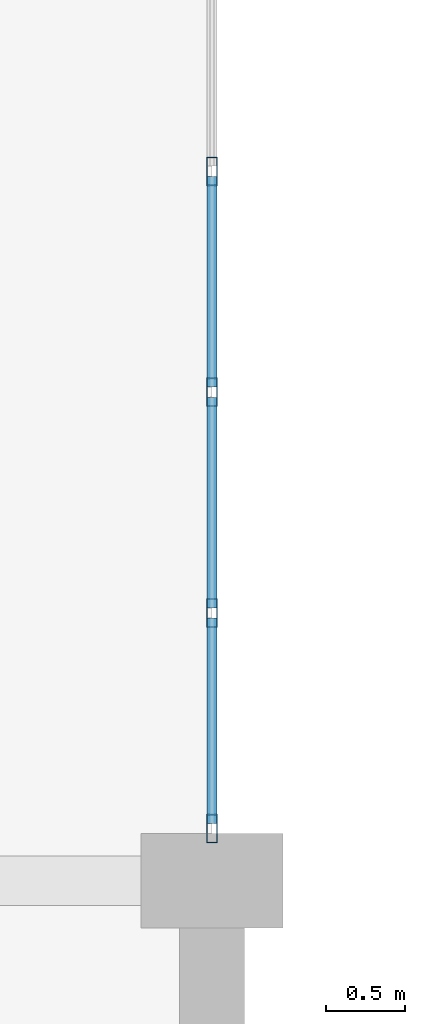
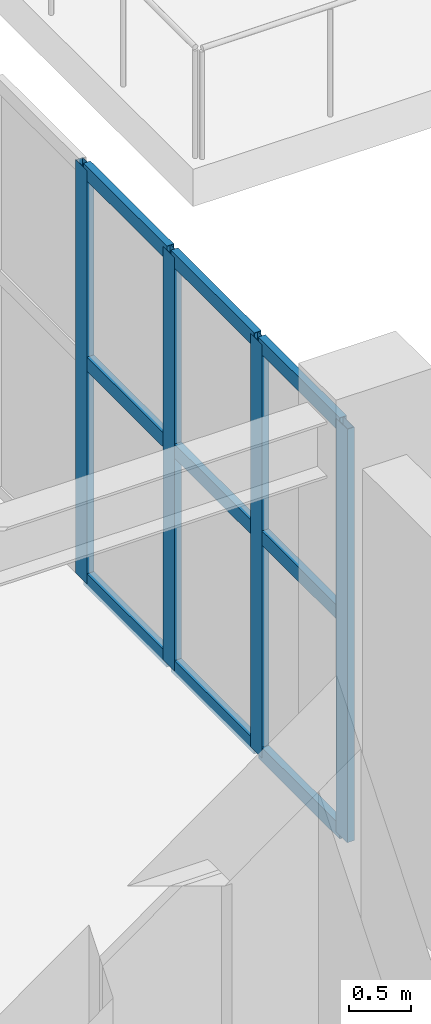
# One storey, part 17 of 62: 13 members, 1 element without a shape of its own.
"""IFC4 building model written with IfcOpenShell, lengths in metres."""

from ifc_helpers import new_model, si_unit, direction, frame, origin, origin_2d, place, context, subcontext, project, spatial, hollow_rectangle, extrude, material, layer, layer_set, material_profile, profile_set, type_object, element, aggregate, save


model = new_model("IFC4")

# Units and contexts
model_context = context("Model", 3, precision=1e-05, world=origin(), true_north=direction((0.0, 1.0)))
body_context = subcontext(model_context, "Body", "Model", "MODEL_VIEW")
ifc_project = project(units=[si_unit("LENGTHUNIT", "METRE"), si_unit("AREAUNIT", "SQUARE_METRE"), si_unit("VOLUMEUNIT", "CUBIC_METRE"), si_unit("PLANEANGLEUNIT", "RADIAN"), si_unit("MASSUNIT", "GRAM", prefix="KILO")], contexts=[model_context])

# Site, building, storey
site_placement = place(None, origin())
site = spatial("IfcSite", under=ifc_project, at=site_placement, CompositionType="ELEMENT")
building_placement = place(site_placement, origin())
building = spatial("IfcBuilding", under=site, at=building_placement, Name="Vaelkrest Opera House", CompositionType="ELEMENT")
storey_placement = place(building_placement, frame((0.0, 0.0, 19.800048828125)))
storey = spatial("IfcBuildingStorey", under=building, at=storey_placement, Name="L04", CompositionType="ELEMENT", Elevation=19.800048828125)

# Curtain wall, members
ifc_material = material(Name="Dark bronze anodized aluminium", Category="aluminium")
ifc_layer = layer(ifc_material, 0.179931640625)
ifc_layer_set = layer_set([ifc_layer], Name="Dark bronze anodized aluminium")
curtain_wall_type = type_object("IfcCurtainWallType", Name="CW01", PredefinedType="NOTDEFINED", material=ifc_layer_set)
curtain_wall_placement = place(storey_placement, origin())
curtain_wall = element("IfcCurtainWall", 1, at=curtain_wall_placement, inside=storey, type_object=curtain_wall_type, Name="Curtain wall CW-L04-066", PredefinedType="NOTDEFINED")
ifc_material_profile_1 = material_profile(ifc_material, hollow_rectangle(XDim=0.06494140625, YDim=0.179931640625, WallThickness=0.00390625, at=origin_2d()), Name="CWM65X180")
ifc_profile_set_1 = profile_set([ifc_material_profile_1], Name="Dark bronze anodized aluminium")
member_type_1 = type_object("IfcMemberType", Name="CWM01", PredefinedType="MULLION", material=ifc_profile_set_1)
member_1_placement = place(storey_placement, frame((30.0, -24.300048828125, 0.0), z_axis=(0.0, 0.0, 1.0), x_axis=(1.0, 0.0, 0.0)))
member_1 = element("IfcMember", 2, at=member_1_placement, type_object=member_type_1, Name="CW01 mullion 4", PredefinedType="MULLION", context=body_context, shape_type="SweptSolid", body=[
    extrude(hollow_rectangle(XDim=0.06494140625, YDim=0.179931640625, WallThickness=0.00390625, at=origin_2d()), origin(), (0.0, 0.0, 1.0), 4.04296875),
])
member_2_placement = place(storey_placement, frame((30.0, -25.70068359375, 0.0), z_axis=(0.0, 0.0, 1.0), x_axis=(1.0, 0.0, 0.0)))
member_2 = element("IfcMember", 3, at=member_2_placement, type_object=member_type_1, Name="CW01 mullion 5", PredefinedType="MULLION", context=body_context, shape_type="SweptSolid", body=[
    extrude(hollow_rectangle(XDim=0.06494140625, YDim=0.179931640625, WallThickness=0.00390625, at=origin_2d()), origin(), (0.0, 0.0, 1.0), 4.04296875),
])
member_3_placement = place(storey_placement, frame((30.0, -27.101318359375, 0.0), z_axis=(0.0, 0.0, 1.0), x_axis=(1.0, 0.0, 0.0)))
member_3 = element("IfcMember", 4, at=member_3_placement, type_object=member_type_1, Name="CW01 mullion 6", PredefinedType="MULLION", context=body_context, shape_type="SweptSolid", body=[
    extrude(hollow_rectangle(XDim=0.06494140625, YDim=0.179931640625, WallThickness=0.00390625, at=origin_2d()), origin(), (0.0, 0.0, 1.0), 4.04296875),
])
member_4_placement = place(storey_placement, frame((30.0, -28.469482421875, 0.0), z_axis=(0.0, 0.0, 1.0), x_axis=(1.0, 0.0, 0.0)))
member_4 = element("IfcMember", 5, at=member_4_placement, type_object=member_type_1, Name="CW01 mullion 7", PredefinedType="MULLION", context=body_context, shape_type="SweptSolid", body=[
    extrude(hollow_rectangle(XDim=0.06494140625, YDim=0.179931640625, WallThickness=0.00390625, at=origin_2d()), origin(), (0.0, 0.0, 1.0), 4.04296875),
])
ifc_material_profile_2 = material_profile(ifc_material, hollow_rectangle(XDim=0.06494140625, YDim=0.139892578125, WallThickness=0.00390625, at=origin_2d()), Name="CWT65X140")
ifc_profile_set_2 = profile_set([ifc_material_profile_2], Name="Dark bronze anodized aluminium")
member_type_2 = type_object("IfcMemberType", Name="CWT01", PredefinedType="USERDEFINED", material=ifc_profile_set_2)
member_5_placement = place(storey_placement, frame((30.0, -24.33251953125, 0.032470703125), z_axis=(0.0, -1.0, 0.0), x_axis=(1.0, 0.0, 0.0)))
member_5 = element("IfcMember", 6, at=member_5_placement, type_object=member_type_2, Name="CW01 transom 4.1", ObjectType="TRANSOM", PredefinedType="USERDEFINED", context=body_context, shape_type="SweptSolid", body=[
    extrude(hollow_rectangle(XDim=0.06494140625, YDim=0.139892578125, WallThickness=0.00390625, at=origin_2d()), origin(), (0.0, 0.0, 1.0), 1.335693359375),
])
member_6_placement = place(storey_placement, frame((30.0, -24.33251953125, 2.14990234375), z_axis=(0.0, -1.0, 0.0), x_axis=(1.0, 0.0, 0.0)))
member_6 = element("IfcMember", 7, at=member_6_placement, type_object=member_type_2, Name="CW01 transom 4.2", ObjectType="TRANSOM", PredefinedType="USERDEFINED", context=body_context, shape_type="SweptSolid", body=[
    extrude(hollow_rectangle(XDim=0.06494140625, YDim=0.139892578125, WallThickness=0.00390625, at=origin_2d()), origin(), (0.0, 0.0, 1.0), 1.335693359375),
])
member_7_placement = place(storey_placement, frame((30.0, -24.33251953125, 4.010498046875), z_axis=(0.0, -1.0, 0.0), x_axis=(1.0, 0.0, 0.0)))
member_7 = element("IfcMember", 8, at=member_7_placement, type_object=member_type_2, Name="CW01 transom 4.3", ObjectType="TRANSOM", PredefinedType="USERDEFINED", context=body_context, shape_type="SweptSolid", body=[
    extrude(hollow_rectangle(XDim=0.06494140625, YDim=0.139892578125, WallThickness=0.00390625, at=origin_2d()), origin(), (0.0, 0.0, 1.0), 1.335693359375),
])
member_8_placement = place(storey_placement, frame((30.0, -25.733154296875, 0.032470703125), z_axis=(0.0, -1.0, 0.0), x_axis=(1.0, 0.0, 0.0)))
member_8 = element("IfcMember", 9, at=member_8_placement, type_object=member_type_2, Name="CW01 transom 5.1", ObjectType="TRANSOM", PredefinedType="USERDEFINED", context=body_context, shape_type="SweptSolid", body=[
    extrude(hollow_rectangle(XDim=0.06494140625, YDim=0.139892578125, WallThickness=0.00390625, at=origin_2d()), origin(), (0.0, 0.0, 1.0), 1.335693359375),
])
member_9_placement = place(storey_placement, frame((30.0, -25.733154296875, 2.14990234375), z_axis=(0.0, -1.0, 0.0), x_axis=(1.0, 0.0, 0.0)))
member_9 = element("IfcMember", 10, at=member_9_placement, type_object=member_type_2, Name="CW01 transom 5.2", ObjectType="TRANSOM", PredefinedType="USERDEFINED", context=body_context, shape_type="SweptSolid", body=[
    extrude(hollow_rectangle(XDim=0.06494140625, YDim=0.139892578125, WallThickness=0.00390625, at=origin_2d()), origin(), (0.0, 0.0, 1.0), 1.335693359375),
])
member_10_placement = place(storey_placement, frame((30.0, -25.733154296875, 4.010498046875), z_axis=(0.0, -1.0, 0.0), x_axis=(1.0, 0.0, 0.0)))
member_10 = element("IfcMember", 11, at=member_10_placement, type_object=member_type_2, Name="CW01 transom 5.3", ObjectType="TRANSOM", PredefinedType="USERDEFINED", context=body_context, shape_type="SweptSolid", body=[
    extrude(hollow_rectangle(XDim=0.06494140625, YDim=0.139892578125, WallThickness=0.00390625, at=origin_2d()), origin(), (0.0, 0.0, 1.0), 1.335693359375),
])
member_11_placement = place(storey_placement, frame((30.0, -27.1337890625, 0.032470703125), z_axis=(0.0, -1.0, 0.0), x_axis=(1.0, 0.0, 0.0)))
member_11 = element("IfcMember", 12, at=member_11_placement, type_object=member_type_2, Name="CW01 transom 6.1", ObjectType="TRANSOM", PredefinedType="USERDEFINED", context=body_context, shape_type="SweptSolid", body=[
    extrude(hollow_rectangle(XDim=0.06494140625, YDim=0.139892578125, WallThickness=0.00390625, at=origin_2d()), origin(), (0.0, 0.0, 1.0), 1.30322265625),
])
member_12_placement = place(storey_placement, frame((30.0, -27.1337890625, 2.14990234375), z_axis=(0.0, -1.0, 0.0), x_axis=(1.0, 0.0, 0.0)))
member_12 = element("IfcMember", 13, at=member_12_placement, type_object=member_type_2, Name="CW01 transom 6.2", ObjectType="TRANSOM", PredefinedType="USERDEFINED", context=body_context, shape_type="SweptSolid", body=[
    extrude(hollow_rectangle(XDim=0.06494140625, YDim=0.139892578125, WallThickness=0.00390625, at=origin_2d()), origin(), (0.0, 0.0, 1.0), 1.30322265625),
])
member_13_placement = place(storey_placement, frame((30.0, -27.1337890625, 4.010498046875), z_axis=(0.0, -1.0, 0.0), x_axis=(1.0, 0.0, 0.0)))
member_13 = element("IfcMember", 14, at=member_13_placement, type_object=member_type_2, Name="CW01 transom 6.3", ObjectType="TRANSOM", PredefinedType="USERDEFINED", context=body_context, shape_type="SweptSolid", body=[
    extrude(hollow_rectangle(XDim=0.06494140625, YDim=0.139892578125, WallThickness=0.00390625, at=origin_2d()), origin(), (0.0, 0.0, 1.0), 1.30322265625),
])
aggregate(curtain_wall, [member_1, member_2, member_3, member_4, member_5, member_6, member_7, member_8, member_9, member_10, member_11, member_12, member_13])

save(model, "model.ifc")
